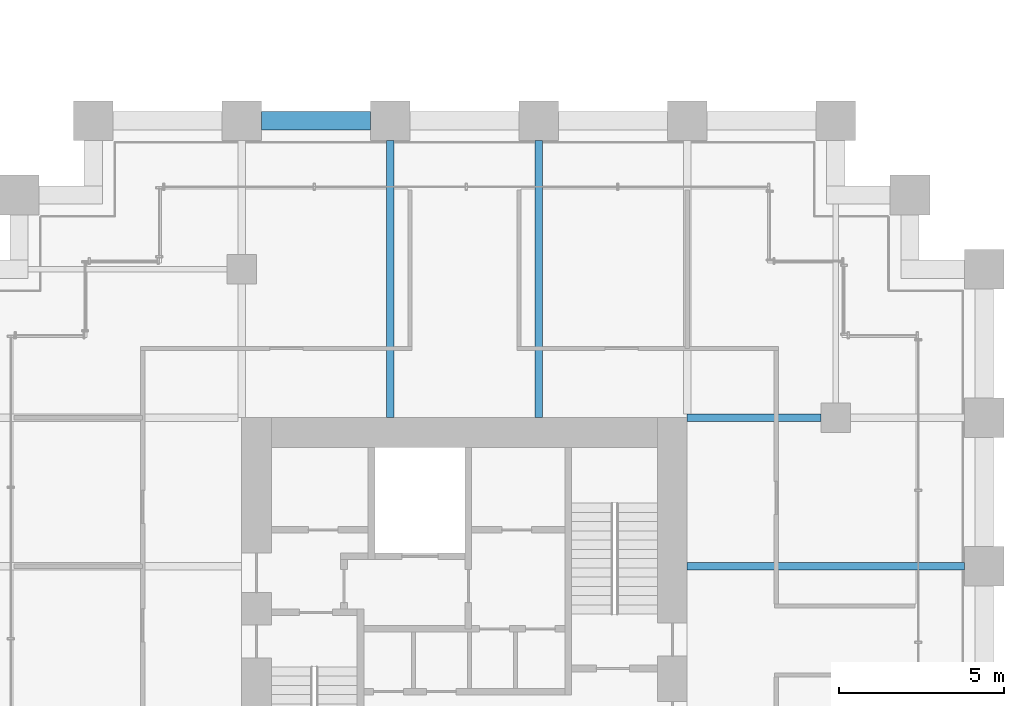
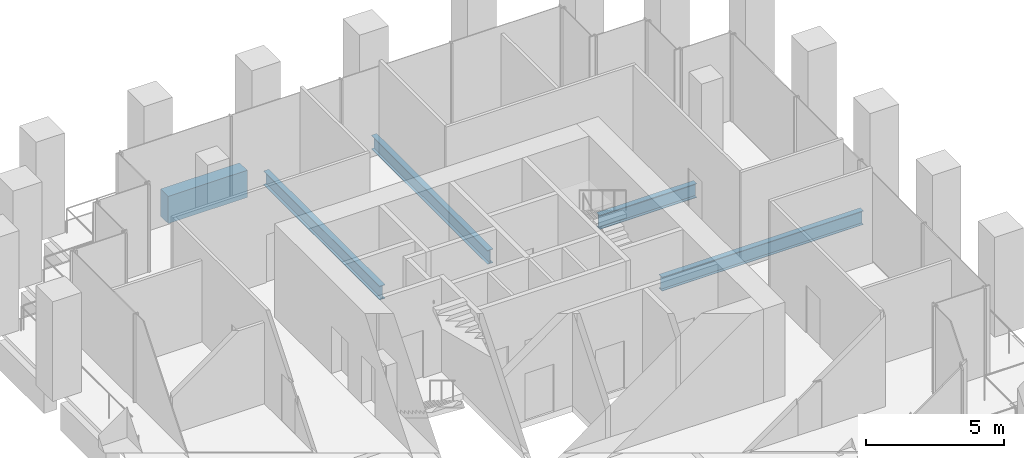
# One storey, part 24 of 36: 5 beams.
"""IFC4 building model written with IfcOpenShell, lengths in metres."""

from ifc_helpers import new_model, si_unit, direction, frame, origin, origin_2d, place, context, subcontext, project, spatial, rectangle, i_section, extrude, material, material_profile, profile_set, type_object, element, save


model = new_model("IFC4")

# Units and contexts
model_context = context("Model", 3, precision=1e-05, world=origin(), true_north=direction((0.0, 1.0)))
body_context = subcontext(model_context, "Body", "Model", "MODEL_VIEW")
ifc_project = project(units=[si_unit("LENGTHUNIT", "METRE"), si_unit("AREAUNIT", "SQUARE_METRE"), si_unit("VOLUMEUNIT", "CUBIC_METRE"), si_unit("PLANEANGLEUNIT", "RADIAN"), si_unit("MASSUNIT", "GRAM", prefix="KILO")], contexts=[model_context])

# Site, building, storey
site_placement = place(None, origin())
site = spatial("IfcSite", under=ifc_project, at=site_placement, CompositionType="ELEMENT")
building_placement = place(site_placement, origin())
building = spatial("IfcBuilding", under=site, at=building_placement, Name="Altepetl Exchange Towers", CompositionType="ELEMENT")
storey_placement = place(building_placement, frame((0.0, 0.0, 34.199951171875)))
storey = spatial("IfcBuildingStorey", under=building, at=storey_placement, Name="L07", CompositionType="ELEMENT", Elevation=34.199951171875)

# Beams
ifc_material_1 = material(Name="Steel S355", Category="steel")
ifc_material_profile_1 = material_profile(ifc_material_1, i_section(OverallWidth=0.22900390625, OverallDepth=0.612060546875, WebThickness=0.011962890625, FlangeThickness=0.01953125, at=origin_2d()), Name="W24X84")
ifc_profile_set_1 = profile_set([ifc_material_profile_1], Name="Steel S355")
beam_type_1 = type_object("IfcBeamType", Name="Floor beam W24X84", PredefinedType="BEAM", material=ifc_profile_set_1)
for number, where, z_axis, x_axis, name in (
    (1, (108.0, 49.5, -0.48095703125), (0.0, 1.0, 0.0), (-1.0, 0.0, 0.0), "bm:B:L07:000"),
    (2, (112.5, 49.5, -0.48095703125), (0.0, 1.0, 0.0), (-1.0, 0.0, 0.0), "bm:B:L07:001"),
    (3, (117.0, 45.0, -0.48095703125), (1.0, 0.0, 0.0), (0.0, 1.0, 0.0), "bm:B:L07:007"),
):
    element("IfcBeam", number, at=place(storey_placement, frame(where, z_axis=z_axis, x_axis=x_axis)), inside=storey, type_object=beam_type_1, Name=name, PredefinedType="BEAM", context=body_context, shape_type="SweptSolid", body=[
        extrude(i_section(OverallWidth=0.22900390625, OverallDepth=0.612060546875, WebThickness=0.011962890625, FlangeThickness=0.01953125, at=origin_2d()), origin(), (0.0, 0.0, 1.0), 8.39990234375),
    ])
ifc_material_profile_2 = material_profile(ifc_material_1, i_section(OverallWidth=0.22900390625, OverallDepth=0.623046875, WebThickness=0.013916015625, FlangeThickness=0.02490234375, at=origin_2d()), Name="W24X103")
ifc_profile_set_2 = profile_set([ifc_material_profile_2], Name="Steel S355")
beam_type_2 = type_object("IfcBeamType", Name="Girder W24X103", PredefinedType="BEAM", material=ifc_profile_set_2)
beam_1_placement = place(storey_placement, frame((117.0, 49.5, -0.486572265625), z_axis=(1.0, 0.0, 0.0), x_axis=(0.0, 1.0, 0.0)))
element("IfcBeam", 4, at=beam_1_placement, inside=storey, type_object=beam_type_2, Name="gd:B:L07:000", PredefinedType="BEAM", context=body_context, shape_type="SweptSolid", body=[
    extrude(i_section(OverallWidth=0.22900390625, OverallDepth=0.623046875, WebThickness=0.013916015625, FlangeThickness=0.02490234375, at=origin_2d()), origin(), (0.0, 0.0, 1.0), 4.050048828125),
])
ifc_material_2 = material(Name="Concrete C50/60 precast with cantera amarilla facing", Category="concrete")
ifc_material_profile_3 = material_profile(ifc_material_2, rectangle(XDim=0.550048828125, YDim=1.199951171875, at=origin_2d()), Name="550 x 1200")
ifc_profile_set_3 = profile_set([ifc_material_profile_3], Name="Concrete C50/60 precast with cantera amarilla facing")
beam_type_3 = type_object("IfcBeamType", Name="Spandrel beam 550x1200 cantera amarilla", PredefinedType="SPANDREL", material=ifc_profile_set_3)
beam_2_placement = place(storey_placement, frame((107.39990234375, 58.5, -0.77490234375), z_axis=(-1.0, 0.0, 0.0), x_axis=(0.0, -1.0, 0.0)))
element("IfcBeam", 5, at=beam_2_placement, inside=storey, type_object=beam_type_3, Name="sp:B:L07:021", PredefinedType="SPANDREL", context=body_context, shape_type="SweptSolid", body=[
    extrude(rectangle(XDim=0.550048828125, YDim=1.199951171875, at=origin_2d()), origin(), (0.0, 0.0, 1.0), 3.2998046875),
])

save(model, "model.ifc")
